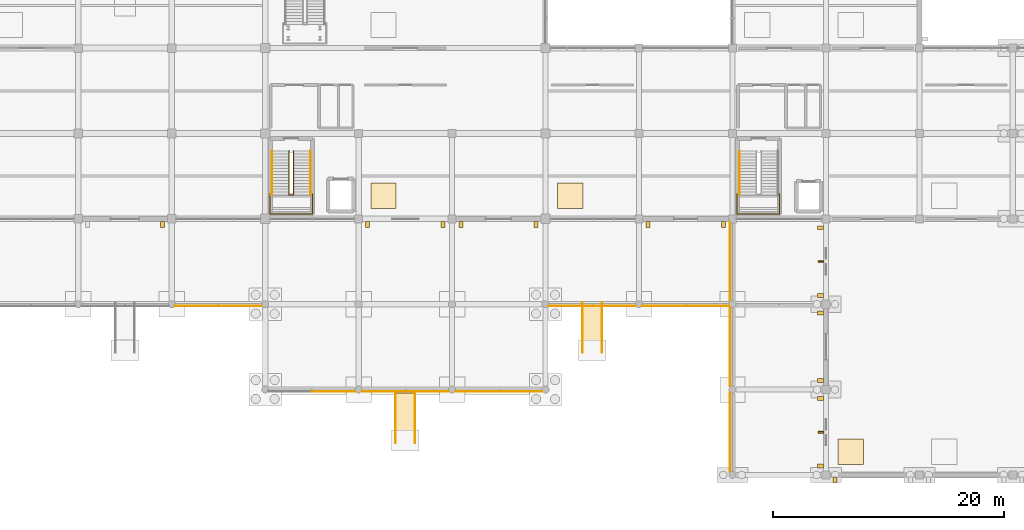
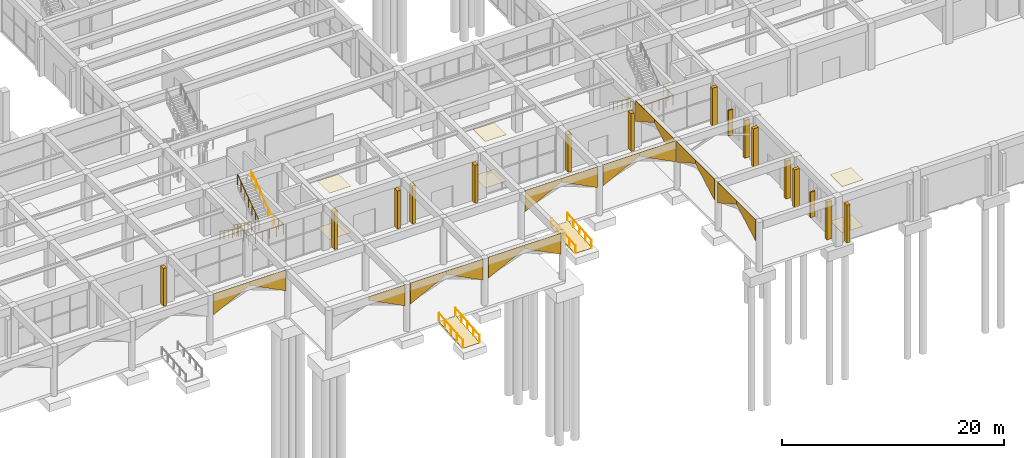
# One storey, part 135 of 140: 25 coverings, 16 shading devices, 10 railings.
"""IFC4 building model written with IfcOpenShell, lengths in metres."""

from ifc_helpers import new_model, si_unit, direction, frame, origin, origin_2d, place, context, subcontext, project, spatial, polyline, rectangle, circle, outline, extrude, material, layer, layer_set, type_object, element, save


model = new_model("IFC4")

# Units and contexts
model_context = context("Model", 3, precision=1e-05, world=origin(), true_north=direction((0.0, 1.0)))
body_context = subcontext(model_context, "Body", "Model", "MODEL_VIEW")
ifc_project = project(units=[si_unit("LENGTHUNIT", "METRE"), si_unit("AREAUNIT", "SQUARE_METRE"), si_unit("VOLUMEUNIT", "CUBIC_METRE"), si_unit("PLANEANGLEUNIT", "RADIAN"), si_unit("MASSUNIT", "GRAM", prefix="KILO")], contexts=[model_context])

# Site, building, storey
site_placement = place(None, origin())
site = spatial("IfcSite", under=ifc_project, at=site_placement, CompositionType="ELEMENT")
building_placement = place(site_placement, origin())
building = spatial("IfcBuilding", under=site, at=building_placement, Name="Cimatlan Art Gallery", CompositionType="ELEMENT")
storey_placement = place(building_placement, origin())
storey = spatial("IfcBuildingStorey", under=building, at=storey_placement, Name="L00", CompositionType="ELEMENT", Elevation=0.0)

# Coverings
ifc_material_1 = material(Name="Micro-perforated acoustic gypsum ceiling")
ifc_layer_1 = layer(ifc_material_1, 0.030029296875)
ifc_layer_set_1 = layer_set([ifc_layer_1], Name="Micro-perforated acoustic gypsum ceiling")
covering_type_1 = type_object("IfcCoveringType", Name="COV-CEIL-ACOUSTIC-30", PredefinedType="CEILING", material=ifc_layer_set_1)
for number, where, z_axis, x_axis, name in (
    (1, (85.14990234375, 25.89990234375, 5.10498046875), (0.0, 0.0, 1.0), (1.0, 0.0, 0.0), "CLG-L00-SHP-01"),
    (2, (101.35009765625, 25.89990234375, 5.10498046875), (0.0, 0.0, 1.0), (1.0, 0.0, 0.0), "CLG-L00-CAF-01"),
    (3, (125.64990234375, 3.699951171875, 5.10498046875), (0.0, 0.0, 1.0), (1.0, 0.0, 0.0), "CLG-L00-AUD-FOY"),
):
    element("IfcCovering", number, at=place(storey_placement, frame(where, z_axis=z_axis, x_axis=x_axis)), inside=storey, type_object=covering_type_1, Name=name, PredefinedType="CEILING", context=body_context, shape_type="SweptSolid", body=[
        extrude(rectangle(XDim=2.199951171875, YDim=2.199951171875, at=origin_2d()), origin(), (0.0, 0.0, 1.0), 0.030029296875),
    ])
ifc_material_2 = material(Name="Queretaro cantera limestone ashlar hood-mould", Category="masonry")
ifc_layer_2 = layer(ifc_material_2, 0.0419921875)
ifc_layer_set_2 = layer_set([ifc_layer_2], Name="Queretaro cantera limestone ashlar hood-mould")
covering_type_2 = type_object("IfcCoveringType", Name="COV-CLAD-CANTERA-42", PredefinedType="CLADDING", material=ifc_layer_set_2)
covering_1_placement = place(storey_placement, frame((67.080078125, 16.304931640625, 2.85009765625), z_axis=(0.0, -1.0, 0.0), x_axis=(0.890144315747, 0.0, 0.455678721408)))
element("IfcCovering", 4, at=covering_1_placement, inside=storey, type_object=covering_type_2, Name="CLD-ARC-009", PredefinedType="CLADDING", context=body_context, shape_type="SweptSolid", body=[
    extrude(outline(polyline([(0.0, 0.0), (4.235290238400666, 0.0), (4.4083947526854335, 0.338150526196759), (1.0525332966890648, 2.056068205878879), (0.0, 0.0)])), origin(), (0.0, 0.0, -1.0), 0.0419921875),
])
for number, where, z_axis, x_axis, name in (
    (5, (70.85009765625, 16.304931640625, 4.780029296875), (0.0, -1.0, 0.0), (0.890144315747, 0.0, -0.455678721408), "CLD-ARC-010"),
    (6, (78.949951171875, 8.905029296875, 4.780029296875), (0.0, -1.0, 0.0), (0.890144315747, 0.0, -0.455678721408), "CLD-ARC-012"),
):
    element("IfcCovering", number, at=place(storey_placement, frame(where, z_axis=z_axis, x_axis=x_axis)), inside=storey, type_object=covering_type_2, Name=name, PredefinedType="CLADDING", context=body_context, shape_type="SweptSolid", body=[
        extrude(outline(polyline([(0.0, 0.0), (4.235290238400666, 0.0), (3.1827569417116015, 2.056068205878879), (-0.17310451428476745, 0.3381505261967589), (0.0, 0.0)])), origin(), (0.0, 0.0, -1.0), 0.0419921875),
    ])
covering_2_placement = place(storey_placement, frame((83.280029296875, 8.905029296875, 2.85009765625), z_axis=(0.0, -1.0, 0.0), x_axis=(0.890144315747, 0.0, 0.455678721408)))
element("IfcCovering", 7, at=covering_2_placement, inside=storey, type_object=covering_type_2, Name="CLD-ARC-013", PredefinedType="CLADDING", context=body_context, shape_type="SweptSolid", body=[
    extrude(outline(polyline([(0.0, 0.0), (4.235290238400666, 0.0), (4.4083947526854335, 0.338150526196759), (1.0525332966890648, 2.056068205878879), (0.0, 0.0)])), origin(), (0.0, 0.0, -1.0), 0.0419921875),
])
covering_3_placement = place(storey_placement, frame((87.050048828125, 8.905029296875, 4.780029296875), z_axis=(0.0, -1.0, 0.0), x_axis=(0.890144315747, 0.0, -0.455678721408)))
element("IfcCovering", 8, at=covering_3_placement, inside=storey, type_object=covering_type_2, Name="CLD-ARC-014", PredefinedType="CLADDING", context=body_context, shape_type="SweptSolid", body=[
    extrude(outline(polyline([(0.0, 0.0), (4.235290238400666, 0.0), (3.1827569417116015, 2.056068205878879), (-0.17310451428476745, 0.3381505261967589), (0.0, 0.0)])), origin(), (0.0, 0.0, -1.0), 0.0419921875),
])
covering_4_placement = place(storey_placement, frame((91.3798828125, 8.905029296875, 2.85009765625), z_axis=(0.0, -1.0, 0.0), x_axis=(0.890144315747, 0.0, 0.455678721408)))
element("IfcCovering", 9, at=covering_4_placement, inside=storey, type_object=covering_type_2, Name="CLD-ARC-015", PredefinedType="CLADDING", context=body_context, shape_type="SweptSolid", body=[
    extrude(outline(polyline([(0.0, 0.0), (4.235290238400666, 0.0), (4.4083947526854335, 0.338150526196759), (1.0525332966890648, 2.056068205878879), (0.0, 0.0)])), origin(), (0.0, 0.0, -1.0), 0.0419921875),
])
covering_5_placement = place(storey_placement, frame((95.14990234375, 8.905029296875, 4.780029296875), z_axis=(0.0, -1.0, 0.0), x_axis=(0.890144315747, 0.0, -0.455678721408)))
element("IfcCovering", 10, at=covering_5_placement, inside=storey, type_object=covering_type_2, Name="CLD-ARC-016", PredefinedType="CLADDING", context=body_context, shape_type="SweptSolid", body=[
    extrude(outline(polyline([(0.0, 0.0), (4.235290238400666, 0.0), (3.1827569417116015, 2.056068205878879), (-0.17310451428476745, 0.3381505261967589), (0.0, 0.0)])), origin(), (0.0, 0.0, -1.0), 0.0419921875),
])
covering_6_placement = place(storey_placement, frame((99.47998046875, 16.304931640625, 2.85009765625), z_axis=(0.0, -1.0, 0.0), x_axis=(0.890144315747, 0.0, 0.455678721408)))
element("IfcCovering", 11, at=covering_6_placement, inside=storey, type_object=covering_type_2, Name="CLD-ARC-017", PredefinedType="CLADDING", context=body_context, shape_type="SweptSolid", body=[
    extrude(outline(polyline([(0.0, 0.0), (4.235290238400666, 0.0), (4.4083947526854335, 0.338150526196759), (1.0525332966890648, 2.056068205878879), (0.0, 0.0)])), origin(), (0.0, 0.0, -1.0), 0.0419921875),
])
covering_7_placement = place(storey_placement, frame((103.25, 16.304931640625, 4.780029296875), z_axis=(0.0, -1.0, 0.0), x_axis=(0.890144315747, 0.0, -0.455678721408)))
element("IfcCovering", 12, at=covering_7_placement, inside=storey, type_object=covering_type_2, Name="CLD-ARC-018", PredefinedType="CLADDING", context=body_context, shape_type="SweptSolid", body=[
    extrude(outline(polyline([(0.0, 0.0), (4.235290238400666, 0.0), (3.1827569417116015, 2.056068205878879), (-0.17310451428476745, 0.3381505261967589), (0.0, 0.0)])), origin(), (0.0, 0.0, -1.0), 0.0419921875),
])
covering_8_placement = place(storey_placement, frame((107.580078125, 16.304931640625, 2.85009765625), z_axis=(0.0, -1.0, 0.0), x_axis=(0.890144315747, 0.0, 0.455678721408)))
element("IfcCovering", 13, at=covering_8_placement, inside=storey, type_object=covering_type_2, Name="CLD-ARC-019", PredefinedType="CLADDING", context=body_context, shape_type="SweptSolid", body=[
    extrude(outline(polyline([(0.0, 0.0), (4.235290238400666, 0.0), (4.4083947526854335, 0.338150526196759), (1.0525332966890648, 2.056068205878879), (0.0, 0.0)])), origin(), (0.0, 0.0, -1.0), 0.0419921875),
])
covering_9_placement = place(storey_placement, frame((111.35009765625, 16.304931640625, 4.780029296875), z_axis=(0.0, -1.0, 0.0), x_axis=(0.890144315747, 0.0, -0.455678721408)))
element("IfcCovering", 14, at=covering_9_placement, inside=storey, type_object=covering_type_2, Name="CLD-ARC-020", PredefinedType="CLADDING", context=body_context, shape_type="SweptSolid", body=[
    extrude(outline(polyline([(0.0, 0.0), (4.235290238400666, 0.0), (3.1827569417116015, 2.056068205878879), (-0.17310451428476745, 0.3381505261967589), (0.0, 0.0)])), origin(), (0.0, 0.0, -1.0), 0.0419921875),
])
covering_10_placement = place(storey_placement, frame((115.205078125, 1.97998046875, 2.85009765625), z_axis=(1.0, 0.0, 0.0), x_axis=(0.0, 0.870897276412, 0.491465089237)))
element("IfcCovering", 15, at=covering_10_placement, inside=storey, type_object=covering_type_2, Name="CLD-ARC-027", PredefinedType="CLADDING", context=body_context, shape_type="SweptSolid", body=[
    extrude(outline(polyline([(0.0, 0.0), (3.926894672459273, -2.220446049250313e-16), (4.113593812804237, 0.33083890676182826), (1.1351931663262869, 2.0116111162427104), (0.0, 0.0)])), origin(), (0.0, 0.0, -1.0), 0.0419921875),
])
covering_11_placement = place(storey_placement, frame((115.205078125, 5.39990234375, 4.780029296875), z_axis=(1.0, 0.0, 0.0), x_axis=(0.0, 0.870912291949, -0.49143848011)))
element("IfcCovering", 16, at=covering_11_placement, inside=storey, type_object=covering_type_2, Name="CLD-ARC-028", PredefinedType="CLADDING", context=body_context, shape_type="SweptSolid", body=[
    extrude(outline(polyline([(0.0, 0.0), (3.927107295697648, 0.0), (2.7919755915186952, 2.0116457993476216), (-0.18668903199476272, 0.3308446109063417), (0.0, 0.0)])), origin(), (0.0, 0.0, -1.0), 0.0419921875),
])
covering_12_placement = place(storey_placement, frame((115.205078125, 9.3798828125, 2.85009765625), z_axis=(1.0, 0.0, 0.0), x_axis=(0.0, 0.870912291949, 0.49143848011)))
element("IfcCovering", 17, at=covering_12_placement, inside=storey, type_object=covering_type_2, Name="CLD-ARC-029", PredefinedType="CLADDING", context=body_context, shape_type="SweptSolid", body=[
    extrude(outline(polyline([(0.0, 0.0), (3.927107295697648, 0.0), (4.113796327692411, 0.33084461090634143), (1.1351317041789526, 2.011645799347621), (0.0, 0.0)])), origin(), (0.0, 0.0, -1.0), 0.0419921875),
])
covering_13_placement = place(storey_placement, frame((115.205078125, 12.800048828125, 4.780029296875), z_axis=(1.0, 0.0, 0.0), x_axis=(0.0, 0.870897276412, -0.491465089237)))
element("IfcCovering", 18, at=covering_13_placement, inside=storey, type_object=covering_type_2, Name="CLD-ARC-030", PredefinedType="CLADDING", context=body_context, shape_type="SweptSolid", body=[
    extrude(outline(polyline([(0.0, 0.0), (3.926894672459273, 2.220446049250313e-16), (2.7917015061329864, 2.0116111162427104), (-0.18669914034496377, 0.33083890676182826), (0.0, 0.0)])), origin(), (0.0, 0.0, -1.0), 0.0419921875),
])
covering_14_placement = place(storey_placement, frame((115.205078125, 16.780029296875, 2.85009765625), z_axis=(1.0, 0.0, 0.0), x_axis=(0.0, 0.870897276412, 0.491465089237)))
element("IfcCovering", 19, at=covering_14_placement, inside=storey, type_object=covering_type_2, Name="CLD-ARC-031", PredefinedType="CLADDING", context=body_context, shape_type="SweptSolid", body=[
    extrude(outline(polyline([(0.0, 0.0), (3.926894672459273, -2.220446049250313e-16), (4.113593812804237, 0.33083890676182826), (1.1351931663262869, 2.0116111162427104), (0.0, 0.0)])), origin(), (0.0, 0.0, -1.0), 0.0419921875),
])
covering_15_placement = place(storey_placement, frame((115.205078125, 20.199951171875, 4.780029296875), z_axis=(1.0, 0.0, 0.0), x_axis=(0.0, 0.870912291949, -0.49143848011)))
element("IfcCovering", 20, at=covering_15_placement, inside=storey, type_object=covering_type_2, Name="CLD-ARC-032", PredefinedType="CLADDING", context=body_context, shape_type="SweptSolid", body=[
    extrude(outline(polyline([(0.0, 0.0), (3.927107295697648, 0.0), (2.7919755915186952, 2.0116457993476216), (-0.18668903199476272, 0.3308446109063417), (0.0, 0.0)])), origin(), (0.0, 0.0, -1.0), 0.0419921875),
])
covering_16_placement = place(storey_placement, frame((87.949951171875, 4.47998046875, -0.360107421875), z_axis=(0.0, -0.083068783756, 0.996543815979), x_axis=(0.0, 0.996543815979, 0.083068783756)))
element("IfcCovering", 21, at=covering_16_placement, inside=storey, type_object=covering_type_2, Name="COV-RMP-03-FL1", PredefinedType="CLADDING", context=body_context, shape_type="SweptSolid", body=[
    extrude(outline(polyline([(0.0, 0.0), (4.335051093696874, 0.0), (4.335051093696874, 1.8000488281250004), (0.0, 1.8000488281250004), (0.0, 0.0)])), origin(), (0.0, 0.0, -1.0), 0.02490234375),
])
covering_17_placement = place(storey_placement, frame((104.14990234375, 12.320068359375, -0.360107421875), z_axis=(0.0, -0.083073446101, 0.996543427329), x_axis=(0.0, 0.996543427329, 0.083073446101)))
element("IfcCovering", 22, at=covering_17_placement, inside=storey, type_object=covering_type_2, Name="COV-RMP-04-FL1", PredefinedType="CLADDING", context=body_context, shape_type="SweptSolid", body=[
    extrude(outline(polyline([(0.0, 0.0), (4.334807796914242, 0.0), (4.334807796914242, 1.7998046875), (0.0, 1.7998046875), (0.0, 0.0)])), origin(), (0.0, 0.0, -1.0), 0.02490234375),
])
ifc_material_3 = material(Name="Honed Queretaro limestone terrazzo flooring", Category="masonry")
ifc_layer_3 = layer(ifc_material_3, 0.02001953125)
ifc_layer_set_3 = layer_set([ifc_layer_3], Name="Honed Queretaro limestone terrazzo flooring")
covering_type_3 = type_object("IfcCoveringType", Name="COV-FLR-TERRAZZO-20", PredefinedType="FLOORING", material=ifc_layer_set_3)
for number, where, z_axis, x_axis, name in (
    (23, (85.14990234375, 25.89990234375, 0.0), (0.0, 0.0, 1.0), (1.0, 0.0, 0.0), "FLR-L00-SHP-01"),
    (24, (101.35009765625, 25.89990234375, 0.0), (0.0, 0.0, 1.0), (1.0, 0.0, 0.0), "FLR-L00-CAF-01"),
    (25, (125.64990234375, 3.699951171875, 0.0), (0.0, 0.0, 1.0), (1.0, 0.0, 0.0), "FLR-L00-AUD-FOY"),
):
    element("IfcCovering", number, at=place(storey_placement, frame(where, z_axis=z_axis, x_axis=x_axis)), inside=storey, type_object=covering_type_3, Name=name, PredefinedType="FLOORING", context=body_context, shape_type="SweptSolid", body=[
        extrude(rectangle(XDim=2.199951171875, YDim=2.199951171875, at=origin_2d()), origin(), (0.0, 0.0, 1.0), 0.02001953125),
    ])

# Railings
ifc_material_4 = material(Name="Painted steel and bronze interior balustrade", Category="steel")
railing_type_1 = type_object("IfcRailingType", Name="RL-BAL-INT-1120", PredefinedType="BALUSTRADE", material=ifc_material_4)
railing_1_placement = place(storey_placement, frame((75.31005859375, 26.06494140625, 2.699951171875)))
element("IfcRailing", 26, at=railing_1_placement, inside=storey, type_object=railing_type_1, Name="STR-C3-L00-LGRD", PredefinedType="BALUSTRADE", context=body_context, shape_type="SweptSolid", body=[
    extrude(circle(Radius=0.02392578125, at=origin_2d()), frame((0.0, 0.0, 1.09619140625), z_axis=(0.0, -1.0, 0.0), x_axis=(1.0, 0.0, 0.0)), (0.0, 0.0, 1.0), 1.7548828125),
    extrude(circle(Radius=0.02392578125, at=origin_2d()), frame((0.0, -1.7548828125, 1.09619140625), z_axis=(1.0, 0.0, 0.0), x_axis=(0.0, 1.0, 0.0)), (0.0, 0.0, 1.0), 3.669921875),
    extrude(circle(Radius=0.02392578125, at=origin_2d()), frame((3.669921875, -1.7548828125, 1.09619140625), z_axis=(0.0, 1.0, 0.0), x_axis=(-1.0, 0.0, 0.0)), (0.0, 0.0, 1.0), 1.7548828125),
    extrude(circle(Radius=0.02001953125, at=origin_2d()), origin(), (0.0, 0.0, 1.0), 1.072021484375),
    extrude(circle(Radius=0.02001953125, at=origin_2d()), frame((0.0, -0.87744140625, 0.0)), (0.0, 0.0, 1.0), 1.072021484375),
    extrude(circle(Radius=0.02001953125, at=origin_2d()), frame((0.0, -1.7548828125, 0.0)), (0.0, 0.0, 1.0), 1.072021484375),
    extrude(circle(Radius=0.02001953125, at=origin_2d()), frame((0.73388671875, -1.7548828125, 0.0)), (0.0, 0.0, 1.0), 1.072021484375),
    extrude(circle(Radius=0.02001953125, at=origin_2d()), frame((1.468017578125, -1.7548828125, 0.0)), (0.0, 0.0, 1.0), 1.072021484375),
    extrude(circle(Radius=0.02001953125, at=origin_2d()), frame((2.201904296875, -1.7548828125, 0.0)), (0.0, 0.0, 1.0), 1.072021484375),
    extrude(circle(Radius=0.02001953125, at=origin_2d()), frame((2.93603515625, -1.7548828125, 0.0)), (0.0, 0.0, 1.0), 1.072021484375),
    extrude(circle(Radius=0.02001953125, at=origin_2d()), frame((3.669921875, -1.7548828125, 0.0)), (0.0, 0.0, 1.0), 1.072021484375),
    extrude(circle(Radius=0.02001953125, at=origin_2d()), frame((3.669921875, -0.87744140625, 0.0)), (0.0, 0.0, 1.0), 1.072021484375),
    extrude(circle(Radius=0.02001953125, at=origin_2d()), frame((3.669921875, 0.0, 0.0)), (0.0, 0.0, 1.0), 1.072021484375),
])
railing_2_placement = place(storey_placement, frame((76.969970703125, 29.780029296875, 0.0)))
element("IfcRailing", 27, at=railing_2_placement, inside=storey, type_object=railing_type_1, Name="STR-C3-L00-GRD", PredefinedType="BALUSTRADE", context=body_context, shape_type="SweptSolid", body=[
    extrude(circle(Radius=0.02392578125, at=origin_2d()), frame((0.0, 0.0, 1.09619140625), z_axis=(0.0, -0.816969308413, 0.5766811503), x_axis=(1.0, 0.0, 0.0)), (0.0, 0.0, 1.0), 4.681884765625),
    extrude(circle(Radius=0.02392578125, at=origin_2d()), frame((0.0, -3.824951171875, 3.7958984375), z_axis=(1.0, 0.0, 0.0), x_axis=(0.0, 1.0, 0.0)), (0.0, 0.0, 1.0), 0.400146484375),
    extrude(circle(Radius=0.02392578125, at=origin_2d()), frame((0.400146484375, -3.824951171875, 3.7958984375), z_axis=(0.0, 0.816969308413, 0.5766811503), x_axis=(-1.0, 0.0, 0.0)), (0.0, 0.0, 1.0), 4.681884765625),
    extrude(circle(Radius=0.02001953125, at=origin_2d()), origin(), (0.0, 0.0, 1.0), 1.072021484375),
    extrude(circle(Radius=0.02001953125, at=origin_2d()), frame((0.0, -0.637451171875, 0.449951171875)), (0.0, 0.0, 1.0), 1.072021484375),
    extrude(circle(Radius=0.02001953125, at=origin_2d()), frame((0.0, -1.27490234375, 0.89990234375)), (0.0, 0.0, 1.0), 1.072021484375),
    extrude(circle(Radius=0.02001953125, at=origin_2d()), frame((0.0, -1.91259765625, 1.35009765625)), (0.0, 0.0, 1.0), 1.072021484375),
    extrude(circle(Radius=0.02001953125, at=origin_2d()), frame((0.0, -2.550048828125, 1.800048828125)), (0.0, 0.0, 1.0), 1.072021484375),
    extrude(circle(Radius=0.02001953125, at=origin_2d()), frame((0.0, -3.1875, 2.25)), (0.0, 0.0, 1.0), 1.072021484375),
    extrude(circle(Radius=0.02001953125, at=origin_2d()), frame((0.0, -3.824951171875, 2.699951171875)), (0.0, 0.0, 1.0), 1.072021484375),
    extrude(circle(Radius=0.02001953125, at=origin_2d()), frame((0.400146484375, -3.824951171875, 2.699951171875)), (0.0, 0.0, 1.0), 1.072021484375),
    extrude(circle(Radius=0.02001953125, at=origin_2d()), frame((0.400146484375, -3.1875, 3.14990234375)), (0.0, 0.0, 1.0), 1.072021484375),
    extrude(circle(Radius=0.02001953125, at=origin_2d()), frame((0.400146484375, -2.550048828125, 3.599853515625)), (0.0, 0.0, 1.0), 1.072021484375),
    extrude(circle(Radius=0.02001953125, at=origin_2d()), frame((0.400146484375, -1.91259765625, 4.0498046875)), (0.0, 0.0, 1.0), 1.072021484375),
    extrude(circle(Radius=0.02001953125, at=origin_2d()), frame((0.400146484375, -1.27490234375, 4.5)), (0.0, 0.0, 1.0), 1.072021484375),
    extrude(circle(Radius=0.02001953125, at=origin_2d()), frame((0.400146484375, -0.637451171875, 4.949951171875)), (0.0, 0.0, 1.0), 1.072021484375),
    extrude(circle(Radius=0.02001953125, at=origin_2d()), frame((0.400146484375, 0.0, 5.39990234375)), (0.0, 0.0, 1.0), 1.072021484375),
])
railing_3_placement = place(storey_placement, frame((115.81005859375, 26.06494140625, 2.699951171875)))
element("IfcRailing", 28, at=railing_3_placement, inside=storey, type_object=railing_type_1, Name="STR-C4-L00-LGRD", PredefinedType="BALUSTRADE", context=body_context, shape_type="SweptSolid", body=[
    extrude(circle(Radius=0.02392578125, at=origin_2d()), frame((0.0, 0.0, 1.09619140625), z_axis=(0.0, -1.0, 0.0), x_axis=(1.0, 0.0, 0.0)), (0.0, 0.0, 1.0), 1.7548828125),
    extrude(circle(Radius=0.02392578125, at=origin_2d()), frame((0.0, -1.7548828125, 1.09619140625), z_axis=(1.0, 0.0, 0.0), x_axis=(0.0, 1.0, 0.0)), (0.0, 0.0, 1.0), 3.669921875),
    extrude(circle(Radius=0.02392578125, at=origin_2d()), frame((3.669921875, -1.7548828125, 1.09619140625), z_axis=(0.0, 1.0, 0.0), x_axis=(-1.0, 0.0, 0.0)), (0.0, 0.0, 1.0), 1.7548828125),
    extrude(circle(Radius=0.02001953125, at=origin_2d()), origin(), (0.0, 0.0, 1.0), 1.072021484375),
    extrude(circle(Radius=0.02001953125, at=origin_2d()), frame((0.0, -0.87744140625, 0.0)), (0.0, 0.0, 1.0), 1.072021484375),
    extrude(circle(Radius=0.02001953125, at=origin_2d()), frame((0.0, -1.7548828125, 0.0)), (0.0, 0.0, 1.0), 1.072021484375),
    extrude(circle(Radius=0.02001953125, at=origin_2d()), frame((0.73388671875, -1.7548828125, 0.0)), (0.0, 0.0, 1.0), 1.072021484375),
    extrude(circle(Radius=0.02001953125, at=origin_2d()), frame((1.468017578125, -1.7548828125, 0.0)), (0.0, 0.0, 1.0), 1.072021484375),
    extrude(circle(Radius=0.02001953125, at=origin_2d()), frame((2.201904296875, -1.7548828125, 0.0)), (0.0, 0.0, 1.0), 1.072021484375),
    extrude(circle(Radius=0.02001953125, at=origin_2d()), frame((2.93603515625, -1.7548828125, 0.0)), (0.0, 0.0, 1.0), 1.072021484375),
    extrude(circle(Radius=0.02001953125, at=origin_2d()), frame((3.669921875, -1.7548828125, 0.0)), (0.0, 0.0, 1.0), 1.072021484375),
    extrude(circle(Radius=0.02001953125, at=origin_2d()), frame((3.669921875, -0.87744140625, 0.0)), (0.0, 0.0, 1.0), 1.072021484375),
    extrude(circle(Radius=0.02001953125, at=origin_2d()), frame((3.669921875, 0.0, 0.0)), (0.0, 0.0, 1.0), 1.072021484375),
])
ifc_material_5 = material(Name="Brushed bronze handrail")
railing_type_2 = type_object("IfcRailingType", Name="RL-HND-EXT-920", PredefinedType="HANDRAIL", material=ifc_material_5)
for number, where, name in (
    (29, (87.889892578125, 4.47998046875, -0.360107421875), "RMP-03-HR-L"),
    (30, (86.2099609375, 4.47998046875, -0.360107421875), "RMP-03-HR-R"),
):
    element("IfcRailing", number, at=place(storey_placement, frame(where)), inside=storey, type_object=railing_type_2, Name=name, PredefinedType="HANDRAIL", context=body_context, shape_type="SweptSolid", body=[
        extrude(circle(Radius=0.02197265625, at=origin_2d()), frame((0.0, 0.0, 0.89794921875), z_axis=(0.0, 0.996543815979, 0.083068783756), x_axis=(-1.0, 0.0, 0.0)), (0.0, 0.0, 1.0), 4.3349609375),
        extrude(circle(Radius=0.01904296875, at=origin_2d()), origin(), (0.0, 0.0, 1.0), 0.8759765625),
        extrude(circle(Radius=0.01904296875, at=origin_2d()), frame((0.0, 1.080078125, 0.090087890625)), (0.0, 0.0, 1.0), 0.8759765625),
        extrude(circle(Radius=0.01904296875, at=origin_2d()), frame((0.0, 2.16015625, 0.18017578125)), (0.0, 0.0, 1.0), 0.8759765625),
        extrude(circle(Radius=0.01904296875, at=origin_2d()), frame((0.0, 3.239990234375, 0.27001953125)), (0.0, 0.0, 1.0), 0.8759765625),
        extrude(circle(Radius=0.01904296875, at=origin_2d()), frame((0.0, 4.320068359375, 0.360107421875)), (0.0, 0.0, 1.0), 0.8759765625),
    ])
for number, where, name in (
    (31, (104.090087890625, 12.320068359375, -0.360107421875), "RMP-04-HR-L"),
    (32, (102.409912109375, 12.320068359375, -0.360107421875), "RMP-04-HR-R"),
):
    element("IfcRailing", number, at=place(storey_placement, frame(where)), inside=storey, type_object=railing_type_2, Name=name, PredefinedType="HANDRAIL", context=body_context, shape_type="SweptSolid", body=[
        extrude(circle(Radius=0.02197265625, at=origin_2d()), frame((0.0, 0.0, 0.89794921875), z_axis=(0.0, 0.996543427329, 0.083073446101), x_axis=(-1.0, 0.0, 0.0)), (0.0, 0.0, 1.0), 4.334716796875),
        extrude(circle(Radius=0.01904296875, at=origin_2d()), origin(), (0.0, 0.0, 1.0), 0.8759765625),
        extrude(circle(Radius=0.01904296875, at=origin_2d()), frame((0.0, 1.080078125, 0.090087890625)), (0.0, 0.0, 1.0), 0.8759765625),
        extrude(circle(Radius=0.01904296875, at=origin_2d()), frame((0.0, 2.159912109375, 0.18017578125)), (0.0, 0.0, 1.0), 0.8759765625),
        extrude(circle(Radius=0.01904296875, at=origin_2d()), frame((0.0, 3.23974609375, 0.27001953125)), (0.0, 0.0, 1.0), 0.8759765625),
        extrude(circle(Radius=0.01904296875, at=origin_2d()), frame((0.0, 4.31982421875, 0.360107421875)), (0.0, 0.0, 1.0), 0.8759765625),
    ])
ifc_material_6 = material(Name="Brushed bronze stair handrail")
railing_type_3 = type_object("IfcRailingType", Name="RL-HND-INT-920", PredefinedType="HANDRAIL", material=ifc_material_6)
railing_4_placement = place(storey_placement, frame((75.510009765625, 29.780029296875, 0.0)))
element("IfcRailing", 33, at=railing_4_placement, inside=storey, type_object=railing_type_3, Name="STR-C3-L00-HR1", PredefinedType="HANDRAIL", context=body_context, shape_type="SweptSolid", body=[
    extrude(circle(Radius=0.02197265625, at=origin_2d()), frame((0.0, 0.0, 0.89794921875), z_axis=(0.0, -0.816969308413, 0.5766811503), x_axis=(1.0, 0.0, 0.0)), (0.0, 0.0, 1.0), 4.681884765625),
    extrude(circle(Radius=0.01904296875, at=origin_2d()), origin(), (0.0, 0.0, 1.0), 0.8759765625),
    extrude(circle(Radius=0.01904296875, at=origin_2d()), frame((0.0, -0.764892578125, 0.5400390625)), (0.0, 0.0, 1.0), 0.8759765625),
    extrude(circle(Radius=0.01904296875, at=origin_2d()), frame((0.0, -1.530029296875, 1.080078125)), (0.0, 0.0, 1.0), 0.8759765625),
    extrude(circle(Radius=0.01904296875, at=origin_2d()), frame((0.0, -2.294921875, 1.619873046875)), (0.0, 0.0, 1.0), 0.8759765625),
    extrude(circle(Radius=0.01904296875, at=origin_2d()), frame((0.0, -3.06005859375, 2.159912109375)), (0.0, 0.0, 1.0), 0.8759765625),
    extrude(circle(Radius=0.01904296875, at=origin_2d()), frame((0.0, -3.824951171875, 2.699951171875)), (0.0, 0.0, 1.0), 0.8759765625),
])
railing_5_placement = place(storey_placement, frame((78.830078125, 25.955078125, 2.699951171875)))
element("IfcRailing", 34, at=railing_5_placement, inside=storey, type_object=railing_type_3, Name="STR-C3-L00-HR2", PredefinedType="HANDRAIL", context=body_context, shape_type="SweptSolid", body=[
    extrude(circle(Radius=0.02197265625, at=origin_2d()), frame((0.0, 0.0, 0.89794921875), z_axis=(0.0, 0.816969308413, 0.5766811503), x_axis=(-1.0, 0.0, 0.0)), (0.0, 0.0, 1.0), 4.681884765625),
    extrude(circle(Radius=0.01904296875, at=origin_2d()), origin(), (0.0, 0.0, 1.0), 0.8759765625),
    extrude(circle(Radius=0.01904296875, at=origin_2d()), frame((0.0, 0.764892578125, 0.5400390625)), (0.0, 0.0, 1.0), 0.8759765625),
    extrude(circle(Radius=0.01904296875, at=origin_2d()), frame((0.0, 1.530029296875, 1.080078125)), (0.0, 0.0, 1.0), 0.8759765625),
    extrude(circle(Radius=0.01904296875, at=origin_2d()), frame((0.0, 2.294921875, 1.619873046875)), (0.0, 0.0, 1.0), 0.8759765625),
    extrude(circle(Radius=0.01904296875, at=origin_2d()), frame((0.0, 3.06005859375, 2.159912109375)), (0.0, 0.0, 1.0), 0.8759765625),
    extrude(circle(Radius=0.01904296875, at=origin_2d()), frame((0.0, 3.824951171875, 2.699951171875)), (0.0, 0.0, 1.0), 0.8759765625),
])
railing_6_placement = place(storey_placement, frame((116.010009765625, 29.780029296875, 0.0)))
element("IfcRailing", 35, at=railing_6_placement, inside=storey, type_object=railing_type_3, Name="STR-C4-L00-HR1", PredefinedType="HANDRAIL", context=body_context, shape_type="SweptSolid", body=[
    extrude(circle(Radius=0.02197265625, at=origin_2d()), frame((0.0, 0.0, 0.89794921875), z_axis=(0.0, -0.816969308413, 0.5766811503), x_axis=(1.0, 0.0, 0.0)), (0.0, 0.0, 1.0), 4.681884765625),
    extrude(circle(Radius=0.01904296875, at=origin_2d()), origin(), (0.0, 0.0, 1.0), 0.8759765625),
    extrude(circle(Radius=0.01904296875, at=origin_2d()), frame((0.0, -0.764892578125, 0.5400390625)), (0.0, 0.0, 1.0), 0.8759765625),
    extrude(circle(Radius=0.01904296875, at=origin_2d()), frame((0.0, -1.530029296875, 1.080078125)), (0.0, 0.0, 1.0), 0.8759765625),
    extrude(circle(Radius=0.01904296875, at=origin_2d()), frame((0.0, -2.294921875, 1.619873046875)), (0.0, 0.0, 1.0), 0.8759765625),
    extrude(circle(Radius=0.01904296875, at=origin_2d()), frame((0.0, -3.06005859375, 2.159912109375)), (0.0, 0.0, 1.0), 0.8759765625),
    extrude(circle(Radius=0.01904296875, at=origin_2d()), frame((0.0, -3.824951171875, 2.699951171875)), (0.0, 0.0, 1.0), 0.8759765625),
])

# Shading devices
ifc_material_7 = material(Name="Queretaro cantera limestone buttress pilaster", Category="masonry")
shading_device_type_1 = type_object("IfcShadingDeviceType", Name="SHD-BUT-520", PredefinedType="USERDEFINED", material=ifc_material_7)
for number, where, z_axis, x_axis, name in (
    (36, (66.0009765625, 23.422119140625, 0.06005859375), (0.0, 0.0, 1.0), (-1.0, 0.0, 0.0), "BUT-0059"),
    (37, (90.325927734375, 23.422119140625, 0.06005859375), (0.0, 0.0, 1.0), (-1.0, 0.0, 0.0), "BUT-0067"),
    (38, (83.77392578125, 23.422119140625, 0.06005859375), (0.0, 0.0, 1.0), (-1.0, 0.0, 0.0), "BUT-0068"),
    (39, (98.3759765625, 23.422119140625, 0.06005859375), (0.0, 0.0, 1.0), (-1.0, 0.0, 0.0), "BUT-0069"),
    (40, (91.8740234375, 23.422119140625, 0.06005859375), (0.0, 0.0, 1.0), (-1.0, 0.0, 0.0), "BUT-0070"),
    (41, (114.6259765625, 23.422119140625, 0.06005859375), (0.0, 0.0, 1.0), (-1.0, 0.0, 0.0), "BUT-0071"),
    (42, (108.073974609375, 23.422119140625, 0.06005859375), (0.0, 0.0, 1.0), (-1.0, 0.0, 0.0), "BUT-0072"),
    (43, (124.27392578125, 1.24951171875, 0.06005859375), (0.0, 0.0, 1.0), (-1.0, 0.0, 0.0), "BUT-0074"),
    (44, (123.049560546875, 2.47412109375, 0.06005859375), (0.0, 0.0, 1.0), (0.0, 1.0, 0.0), "BUT-0075"),
    (45, (123.049560546875, 8.325927734375, 0.06005859375), (0.0, 0.0, 1.0), (0.0, 1.0, 0.0), "BUT-0076"),
):
    element("IfcShadingDevice", number, at=place(storey_placement, frame(where, z_axis=z_axis, x_axis=x_axis)), inside=storey, type_object=shading_device_type_1, Name=name, ObjectType="FIN", PredefinedType="USERDEFINED", context=body_context, shape_type="SweptSolid", body=[
        extrude(rectangle(XDim=0.340087890625, YDim=0.52001953125, at=origin_2d()), origin(), (0.0, 0.0, 1.0), 4.14990234375),
    ])
for number, where, z_axis, x_axis, name in (
    (46, (123.049560546875, 9.8740234375, 0.06005859375), (0.0, 0.0, 1.0), (0.0, 1.0, 0.0), "BUT-0077"),
    (47, (123.049560546875, 15.72607421875, 0.06005859375), (0.0, 0.0, 1.0), (0.0, 1.0, 0.0), "BUT-0078"),
):
    element("IfcShadingDevice", number, at=place(storey_placement, frame(where, z_axis=z_axis, x_axis=x_axis)), inside=storey, type_object=shading_device_type_1, Name=name, ObjectType="FIN", PredefinedType="USERDEFINED", context=body_context, shape_type="SweptSolid", body=[
        extrude(rectangle(XDim=0.340087890625, YDim=0.52001953125, at=origin_2d()), origin(), (0.0, 0.0, 1.0), 4.175048828125),
    ])
for number, where, z_axis, x_axis, name in (
    (48, (123.049560546875, 17.27392578125, 0.06005859375), (0.0, 0.0, 1.0), (0.0, 1.0, 0.0), "BUT-0079"),
    (49, (123.049560546875, 23.1259765625, 0.06005859375), (0.0, 0.0, 1.0), (0.0, 1.0, 0.0), "BUT-0080"),
):
    element("IfcShadingDevice", number, at=place(storey_placement, frame(where, z_axis=z_axis, x_axis=x_axis)), inside=storey, type_object=shading_device_type_1, Name=name, ObjectType="FIN", PredefinedType="USERDEFINED", context=body_context, shape_type="SweptSolid", body=[
        extrude(rectangle(XDim=0.340087890625, YDim=0.52001953125, at=origin_2d()), origin(), (0.0, 0.0, 1.0), 4.14990234375),
    ])
ifc_material_8 = material(Name="Queretaro cantera limestone lancet mullion fin", Category="masonry")
shading_device_type_2 = type_object("IfcShadingDeviceType", Name="SHD-FIN-480", PredefinedType="USERDEFINED", material=ifc_material_8)
for number, where, z_axis, x_axis, name in (
    (50, (123.069580078125, 5.39990234375, 0.64990234375), (0.0, 0.0, 1.0), (0.0, 1.0, 0.0), "FIN-019"),
    (51, (123.069580078125, 20.199951171875, 0.64990234375), (0.0, 0.0, 1.0), (0.0, 1.0, 0.0), "FIN-020"),
):
    element("IfcShadingDevice", number, at=place(storey_placement, frame(where, z_axis=z_axis, x_axis=x_axis)), inside=storey, type_object=shading_device_type_2, Name=name, ObjectType="FIN", PredefinedType="USERDEFINED", context=body_context, shape_type="SweptSolid", body=[
        extrude(rectangle(XDim=0.159912109375, YDim=0.47998046875, at=origin_2d()), origin(), (0.0, 0.0, 1.0), 2.800048828125),
    ])

save(model, "model.ifc")
